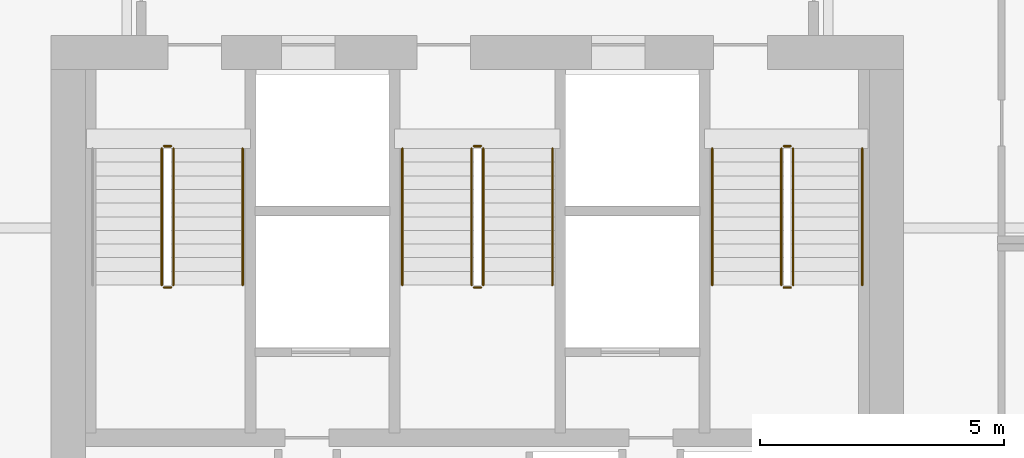
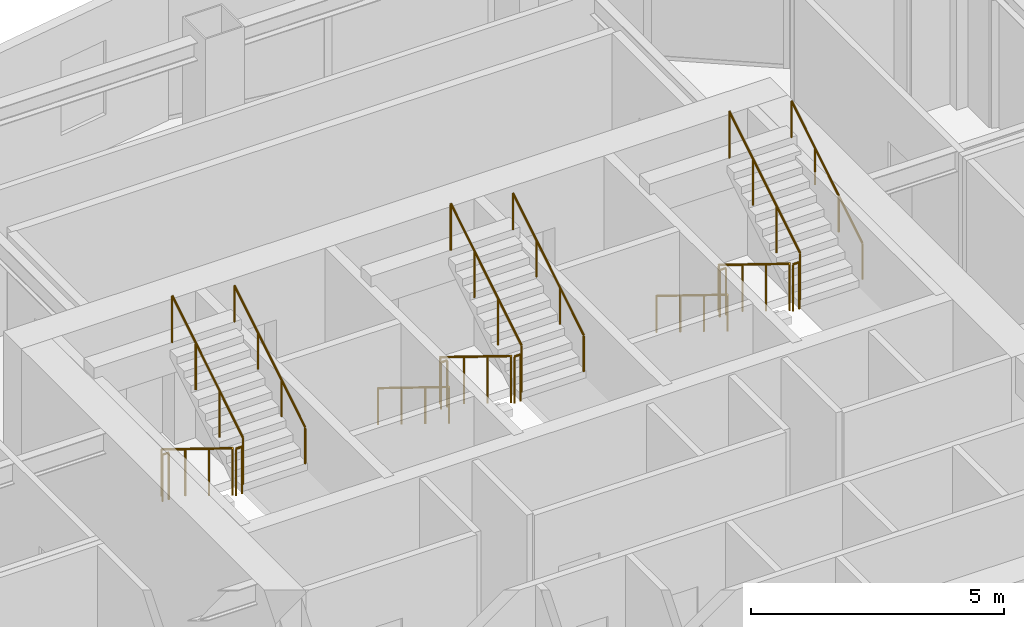
# One storey, part 14 of 14: 17 railings.
"""IFC4 building model written with IfcOpenShell, lengths in metres."""

from ifc_helpers import new_model, si_unit, direction, frame, origin, origin_2d, place, context, subcontext, project, spatial, circle, extrude, material, type_object, element, save


model = new_model("IFC4")

# Units and contexts
model_context = context("Model", 3, precision=1e-05, world=origin(), true_north=direction((0.0, 1.0)))
body_context = subcontext(model_context, "Body", "Model", "MODEL_VIEW")
ifc_project = project(units=[si_unit("LENGTHUNIT", "METRE"), si_unit("AREAUNIT", "SQUARE_METRE"), si_unit("VOLUMEUNIT", "CUBIC_METRE"), si_unit("PLANEANGLEUNIT", "RADIAN"), si_unit("MASSUNIT", "GRAM", prefix="KILO")], contexts=[model_context])

# Site, building, storey
site_placement = place(None, origin())
site = spatial("IfcSite", under=ifc_project, at=site_placement, CompositionType="ELEMENT")
building_placement = place(site_placement, origin())
building = spatial("IfcBuilding", under=site, at=building_placement, Name="Haolan Belvedere Tower", CompositionType="ELEMENT")
storey_placement = place(building_placement, frame((0.0, 0.0, 132.60009765625)))
storey = spatial("IfcBuildingStorey", under=building, at=storey_placement, Name="L33", CompositionType="ELEMENT", Elevation=132.60009765625)

# Railings
ifc_material = material(Name="Brushed stainless steel 304", Category="steel")
railing_type_1 = type_object("IfcRailingType", Name="RL-STAIR-GRD-1150", PredefinedType="GUARDRAIL", material=ifc_material)
railing_1_placement = place(storey_placement, frame((31.919921875, 41.22998046875, 0.172607421875)))
element("IfcRailing", 1, at=railing_1_placement, inside=storey, type_object=railing_type_1, Name="L33 ST1 stair guard 1", PredefinedType="GUARDRAIL", context=body_context, shape_type="SweptSolid", body=[
    extrude(circle(Radius=0.02392578125, at=origin_2d()), frame((0.0, 0.0, 1.1259765625), z_axis=(0.0, -0.851089632645, 0.525020415988), x_axis=(1.0, 0.0, 0.0)), (0.0, 0.0, 1.0), 3.2900390625),
    extrude(circle(Radius=0.02099609375, at=origin_2d()), origin(), (0.0, 0.0, 1.0), 1.101806640625),
    extrude(circle(Radius=0.02099609375, at=origin_2d()), frame((0.0, -0.933349609375, 0.57568359375)), (0.0, 0.0, 1.0), 1.101806640625),
    extrude(circle(Radius=0.02099609375, at=origin_2d()), frame((0.0, -1.86669921875, 1.151611328125)), (0.0, 0.0, 1.0), 1.101806640625),
    extrude(circle(Radius=0.02099609375, at=origin_2d()), frame((0.0, -2.800048828125, 1.727294921875)), (0.0, 0.0, 1.0), 1.101806640625),
])
railing_2_placement = place(storey_placement, frame((31.969970703125, 38.3798828125, 1.89990234375)))
element("IfcRailing", 2, at=railing_2_placement, inside=storey, type_object=railing_type_1, Name="L33 ST1 stair guard 2", PredefinedType="GUARDRAIL", context=body_context, shape_type="SweptSolid", body=[
    extrude(circle(Radius=0.02392578125, at=origin_2d()), frame((0.0, 0.0, 1.1259765625), z_axis=(1.0, 0.0, 0.0), x_axis=(0.0, 1.0, 0.0)), (0.0, 0.0, 1.0), 0.14013671875),
    extrude(circle(Radius=0.02099609375, at=origin_2d()), origin(), (0.0, 0.0, 1.0), 1.101806640625),
    extrude(circle(Radius=0.02099609375, at=origin_2d()), frame((0.14013671875, 0.0, 0.0)), (0.0, 0.0, 1.0), 1.101806640625),
])
railing_3_placement = place(storey_placement, frame((32.159912109375, 38.429931640625, 2.072509765625)))
element("IfcRailing", 3, at=railing_3_placement, inside=storey, type_object=railing_type_1, Name="L33 ST1 stair guard 3", PredefinedType="GUARDRAIL", context=body_context, shape_type="SweptSolid", body=[
    extrude(circle(Radius=0.02392578125, at=origin_2d()), frame((0.0, 0.0, 1.1259765625), z_axis=(0.0, 0.851089632645, 0.525020415988), x_axis=(-1.0, 0.0, 0.0)), (0.0, 0.0, 1.0), 3.2900390625),
    extrude(circle(Radius=0.02099609375, at=origin_2d()), origin(), (0.0, 0.0, 1.0), 1.101806640625),
    extrude(circle(Radius=0.02099609375, at=origin_2d()), frame((0.0, 0.933349609375, 0.57568359375)), (0.0, 0.0, 1.0), 1.101806640625),
    extrude(circle(Radius=0.02099609375, at=origin_2d()), frame((0.0, 1.86669921875, 1.151611328125)), (0.0, 0.0, 1.0), 1.101806640625),
    extrude(circle(Radius=0.02099609375, at=origin_2d()), frame((0.0, 2.800048828125, 1.727294921875)), (0.0, 0.0, 1.0), 1.101806640625),
])
railing_4_placement = place(storey_placement, frame((31.969970703125, 41.280029296875, 0.0)))
element("IfcRailing", 4, at=railing_4_placement, inside=storey, type_object=railing_type_1, Name="L33 ST1 stair guard 4", PredefinedType="GUARDRAIL", context=body_context, shape_type="SweptSolid", body=[
    extrude(circle(Radius=0.02392578125, at=origin_2d()), frame((0.0, 0.0, 1.1259765625), z_axis=(1.0, 0.0, 0.0), x_axis=(0.0, 1.0, 0.0)), (0.0, 0.0, 1.0), 0.14013671875),
    extrude(circle(Radius=0.02099609375, at=origin_2d()), origin(), (0.0, 0.0, 1.0), 1.101806640625),
    extrude(circle(Radius=0.02099609375, at=origin_2d()), frame((0.14013671875, 0.0, 0.0)), (0.0, 0.0, 1.0), 1.101806640625),
])
railing_5_placement = place(storey_placement, frame((38.280029296875, 41.22998046875, 0.172607421875)))
element("IfcRailing", 5, at=railing_5_placement, inside=storey, type_object=railing_type_1, Name="L33 ST3 stair guard 1", PredefinedType="GUARDRAIL", context=body_context, shape_type="SweptSolid", body=[
    extrude(circle(Radius=0.02392578125, at=origin_2d()), frame((0.0, 0.0, 1.1259765625), z_axis=(0.0, -0.851089632645, 0.525020415988), x_axis=(1.0, 0.0, 0.0)), (0.0, 0.0, 1.0), 3.2900390625),
    extrude(circle(Radius=0.02099609375, at=origin_2d()), origin(), (0.0, 0.0, 1.0), 1.101806640625),
    extrude(circle(Radius=0.02099609375, at=origin_2d()), frame((0.0, -0.933349609375, 0.57568359375)), (0.0, 0.0, 1.0), 1.101806640625),
    extrude(circle(Radius=0.02099609375, at=origin_2d()), frame((0.0, -1.86669921875, 1.151611328125)), (0.0, 0.0, 1.0), 1.101806640625),
    extrude(circle(Radius=0.02099609375, at=origin_2d()), frame((0.0, -2.800048828125, 1.727294921875)), (0.0, 0.0, 1.0), 1.101806640625),
])
railing_6_placement = place(storey_placement, frame((38.330078125, 38.3798828125, 1.89990234375)))
element("IfcRailing", 6, at=railing_6_placement, inside=storey, type_object=railing_type_1, Name="L33 ST3 stair guard 2", PredefinedType="GUARDRAIL", context=body_context, shape_type="SweptSolid", body=[
    extrude(circle(Radius=0.02392578125, at=origin_2d()), frame((0.0, 0.0, 1.1259765625), z_axis=(1.0, 0.0, 0.0), x_axis=(0.0, 1.0, 0.0)), (0.0, 0.0, 1.0), 0.139892578125),
    extrude(circle(Radius=0.02099609375, at=origin_2d()), origin(), (0.0, 0.0, 1.0), 1.101806640625),
    extrude(circle(Radius=0.02099609375, at=origin_2d()), frame((0.139892578125, 0.0, 0.0)), (0.0, 0.0, 1.0), 1.101806640625),
])
railing_7_placement = place(storey_placement, frame((38.52001953125, 38.429931640625, 2.072509765625)))
element("IfcRailing", 7, at=railing_7_placement, inside=storey, type_object=railing_type_1, Name="L33 ST3 stair guard 3", PredefinedType="GUARDRAIL", context=body_context, shape_type="SweptSolid", body=[
    extrude(circle(Radius=0.02392578125, at=origin_2d()), frame((0.0, 0.0, 1.1259765625), z_axis=(0.0, 0.851089632645, 0.525020415988), x_axis=(-1.0, 0.0, 0.0)), (0.0, 0.0, 1.0), 3.2900390625),
    extrude(circle(Radius=0.02099609375, at=origin_2d()), origin(), (0.0, 0.0, 1.0), 1.101806640625),
    extrude(circle(Radius=0.02099609375, at=origin_2d()), frame((0.0, 0.933349609375, 0.57568359375)), (0.0, 0.0, 1.0), 1.101806640625),
    extrude(circle(Radius=0.02099609375, at=origin_2d()), frame((0.0, 1.86669921875, 1.151611328125)), (0.0, 0.0, 1.0), 1.101806640625),
    extrude(circle(Radius=0.02099609375, at=origin_2d()), frame((0.0, 2.800048828125, 1.727294921875)), (0.0, 0.0, 1.0), 1.101806640625),
])
railing_8_placement = place(storey_placement, frame((38.330078125, 41.280029296875, 0.0)))
element("IfcRailing", 8, at=railing_8_placement, inside=storey, type_object=railing_type_1, Name="L33 ST3 stair guard 4", PredefinedType="GUARDRAIL", context=body_context, shape_type="SweptSolid", body=[
    extrude(circle(Radius=0.02392578125, at=origin_2d()), frame((0.0, 0.0, 1.1259765625), z_axis=(1.0, 0.0, 0.0), x_axis=(0.0, 1.0, 0.0)), (0.0, 0.0, 1.0), 0.139892578125),
    extrude(circle(Radius=0.02099609375, at=origin_2d()), origin(), (0.0, 0.0, 1.0), 1.101806640625),
    extrude(circle(Radius=0.02099609375, at=origin_2d()), frame((0.139892578125, 0.0, 0.0)), (0.0, 0.0, 1.0), 1.101806640625),
])
railing_9_placement = place(storey_placement, frame((44.639892578125, 41.22998046875, 0.172607421875)))
element("IfcRailing", 9, at=railing_9_placement, inside=storey, type_object=railing_type_1, Name="L33 ST2 stair guard 1", PredefinedType="GUARDRAIL", context=body_context, shape_type="SweptSolid", body=[
    extrude(circle(Radius=0.02392578125, at=origin_2d()), frame((0.0, 0.0, 1.1259765625), z_axis=(0.0, -0.851089632645, 0.525020415988), x_axis=(1.0, 0.0, 0.0)), (0.0, 0.0, 1.0), 3.2900390625),
    extrude(circle(Radius=0.02099609375, at=origin_2d()), origin(), (0.0, 0.0, 1.0), 1.101806640625),
    extrude(circle(Radius=0.02099609375, at=origin_2d()), frame((0.0, -0.933349609375, 0.57568359375)), (0.0, 0.0, 1.0), 1.101806640625),
    extrude(circle(Radius=0.02099609375, at=origin_2d()), frame((0.0, -1.86669921875, 1.151611328125)), (0.0, 0.0, 1.0), 1.101806640625),
    extrude(circle(Radius=0.02099609375, at=origin_2d()), frame((0.0, -2.800048828125, 1.727294921875)), (0.0, 0.0, 1.0), 1.101806640625),
])
railing_10_placement = place(storey_placement, frame((44.68994140625, 38.3798828125, 1.89990234375)))
element("IfcRailing", 10, at=railing_10_placement, inside=storey, type_object=railing_type_1, Name="L33 ST2 stair guard 2", PredefinedType="GUARDRAIL", context=body_context, shape_type="SweptSolid", body=[
    extrude(circle(Radius=0.02392578125, at=origin_2d()), frame((0.0, 0.0, 1.1259765625), z_axis=(1.0, 0.0, 0.0), x_axis=(0.0, 1.0, 0.0)), (0.0, 0.0, 1.0), 0.14013671875),
    extrude(circle(Radius=0.02099609375, at=origin_2d()), origin(), (0.0, 0.0, 1.0), 1.101806640625),
    extrude(circle(Radius=0.02099609375, at=origin_2d()), frame((0.14013671875, 0.0, 0.0)), (0.0, 0.0, 1.0), 1.101806640625),
])
railing_11_placement = place(storey_placement, frame((44.8798828125, 38.429931640625, 2.072509765625)))
element("IfcRailing", 11, at=railing_11_placement, inside=storey, type_object=railing_type_1, Name="L33 ST2 stair guard 3", PredefinedType="GUARDRAIL", context=body_context, shape_type="SweptSolid", body=[
    extrude(circle(Radius=0.02392578125, at=origin_2d()), frame((0.0, 0.0, 1.1259765625), z_axis=(0.0, 0.851089632645, 0.525020415988), x_axis=(-1.0, 0.0, 0.0)), (0.0, 0.0, 1.0), 3.2900390625),
    extrude(circle(Radius=0.02099609375, at=origin_2d()), origin(), (0.0, 0.0, 1.0), 1.101806640625),
    extrude(circle(Radius=0.02099609375, at=origin_2d()), frame((0.0, 0.933349609375, 0.57568359375)), (0.0, 0.0, 1.0), 1.101806640625),
    extrude(circle(Radius=0.02099609375, at=origin_2d()), frame((0.0, 1.86669921875, 1.151611328125)), (0.0, 0.0, 1.0), 1.101806640625),
    extrude(circle(Radius=0.02099609375, at=origin_2d()), frame((0.0, 2.800048828125, 1.727294921875)), (0.0, 0.0, 1.0), 1.101806640625),
])
railing_12_placement = place(storey_placement, frame((44.68994140625, 41.280029296875, 0.0)))
element("IfcRailing", 12, at=railing_12_placement, inside=storey, type_object=railing_type_1, Name="L33 ST2 stair guard 4", PredefinedType="GUARDRAIL", context=body_context, shape_type="SweptSolid", body=[
    extrude(circle(Radius=0.02392578125, at=origin_2d()), frame((0.0, 0.0, 1.1259765625), z_axis=(1.0, 0.0, 0.0), x_axis=(0.0, 1.0, 0.0)), (0.0, 0.0, 1.0), 0.14013671875),
    extrude(circle(Radius=0.02099609375, at=origin_2d()), origin(), (0.0, 0.0, 1.0), 1.101806640625),
    extrude(circle(Radius=0.02099609375, at=origin_2d()), frame((0.14013671875, 0.0, 0.0)), (0.0, 0.0, 1.0), 1.101806640625),
])
railing_type_2 = type_object("IfcRailingType", Name="RL-STAIR-HND-900", PredefinedType="HANDRAIL", material=ifc_material)
railing_13_placement = place(storey_placement, frame((33.580078125, 38.429931640625, 2.072509765625)))
element("IfcRailing", 13, at=railing_13_placement, inside=storey, type_object=railing_type_2, Name="L33 ST1 stair handrail 2", PredefinedType="HANDRAIL", context=body_context, shape_type="SweptSolid", body=[
    extrude(circle(Radius=0.02392578125, at=origin_2d()), frame((0.0, 0.0, 0.8759765625), z_axis=(0.0, 0.851089632645, 0.525020415988), x_axis=(-1.0, 0.0, 0.0)), (0.0, 0.0, 1.0), 3.2900390625),
    extrude(circle(Radius=0.02099609375, at=origin_2d()), origin(), (0.0, 0.0, 1.0), 0.851806640625),
    extrude(circle(Radius=0.02099609375, at=origin_2d()), frame((0.0, 0.933349609375, 0.57568359375)), (0.0, 0.0, 1.0), 0.851806640625),
    extrude(circle(Radius=0.02099609375, at=origin_2d()), frame((0.0, 1.86669921875, 1.151611328125)), (0.0, 0.0, 1.0), 0.851806640625),
    extrude(circle(Radius=0.02099609375, at=origin_2d()), frame((0.0, 2.800048828125, 1.727294921875)), (0.0, 0.0, 1.0), 0.851806640625),
])
railing_14_placement = place(storey_placement, frame((36.860107421875, 41.22998046875, 0.172607421875)))
element("IfcRailing", 14, at=railing_14_placement, inside=storey, type_object=railing_type_2, Name="L33 ST3 stair handrail 1", PredefinedType="HANDRAIL", context=body_context, shape_type="SweptSolid", body=[
    extrude(circle(Radius=0.02392578125, at=origin_2d()), frame((0.0, 0.0, 0.8759765625), z_axis=(0.0, -0.851089632645, 0.525020415988), x_axis=(1.0, 0.0, 0.0)), (0.0, 0.0, 1.0), 3.2900390625),
    extrude(circle(Radius=0.02099609375, at=origin_2d()), origin(), (0.0, 0.0, 1.0), 0.851806640625),
    extrude(circle(Radius=0.02099609375, at=origin_2d()), frame((0.0, -0.933349609375, 0.57568359375)), (0.0, 0.0, 1.0), 0.851806640625),
    extrude(circle(Radius=0.02099609375, at=origin_2d()), frame((0.0, -1.86669921875, 1.151611328125)), (0.0, 0.0, 1.0), 0.851806640625),
    extrude(circle(Radius=0.02099609375, at=origin_2d()), frame((0.0, -2.800048828125, 1.727294921875)), (0.0, 0.0, 1.0), 0.851806640625),
])
railing_15_placement = place(storey_placement, frame((39.93994140625, 38.429931640625, 2.072509765625)))
element("IfcRailing", 15, at=railing_15_placement, inside=storey, type_object=railing_type_2, Name="L33 ST3 stair handrail 2", PredefinedType="HANDRAIL", context=body_context, shape_type="SweptSolid", body=[
    extrude(circle(Radius=0.02392578125, at=origin_2d()), frame((0.0, 0.0, 0.8759765625), z_axis=(0.0, 0.851089632645, 0.525020415988), x_axis=(-1.0, 0.0, 0.0)), (0.0, 0.0, 1.0), 3.2900390625),
    extrude(circle(Radius=0.02099609375, at=origin_2d()), origin(), (0.0, 0.0, 1.0), 0.851806640625),
    extrude(circle(Radius=0.02099609375, at=origin_2d()), frame((0.0, 0.933349609375, 0.57568359375)), (0.0, 0.0, 1.0), 0.851806640625),
    extrude(circle(Radius=0.02099609375, at=origin_2d()), frame((0.0, 1.86669921875, 1.151611328125)), (0.0, 0.0, 1.0), 0.851806640625),
    extrude(circle(Radius=0.02099609375, at=origin_2d()), frame((0.0, 2.800048828125, 1.727294921875)), (0.0, 0.0, 1.0), 0.851806640625),
])
railing_16_placement = place(storey_placement, frame((43.219970703125, 41.22998046875, 0.172607421875)))
element("IfcRailing", 16, at=railing_16_placement, inside=storey, type_object=railing_type_2, Name="L33 ST2 stair handrail 1", PredefinedType="HANDRAIL", context=body_context, shape_type="SweptSolid", body=[
    extrude(circle(Radius=0.02392578125, at=origin_2d()), frame((0.0, 0.0, 0.8759765625), z_axis=(0.0, -0.851089632645, 0.525020415988), x_axis=(1.0, 0.0, 0.0)), (0.0, 0.0, 1.0), 3.2900390625),
    extrude(circle(Radius=0.02099609375, at=origin_2d()), origin(), (0.0, 0.0, 1.0), 0.851806640625),
    extrude(circle(Radius=0.02099609375, at=origin_2d()), frame((0.0, -0.933349609375, 0.57568359375)), (0.0, 0.0, 1.0), 0.851806640625),
    extrude(circle(Radius=0.02099609375, at=origin_2d()), frame((0.0, -1.86669921875, 1.151611328125)), (0.0, 0.0, 1.0), 0.851806640625),
    extrude(circle(Radius=0.02099609375, at=origin_2d()), frame((0.0, -2.800048828125, 1.727294921875)), (0.0, 0.0, 1.0), 0.851806640625),
])
railing_17_placement = place(storey_placement, frame((46.300048828125, 38.429931640625, 2.072509765625)))
element("IfcRailing", 17, at=railing_17_placement, inside=storey, type_object=railing_type_2, Name="L33 ST2 stair handrail 2", PredefinedType="HANDRAIL", context=body_context, shape_type="SweptSolid", body=[
    extrude(circle(Radius=0.02392578125, at=origin_2d()), frame((0.0, 0.0, 0.8759765625), z_axis=(0.0, 0.851089632645, 0.525020415988), x_axis=(-1.0, 0.0, 0.0)), (0.0, 0.0, 1.0), 3.2900390625),
    extrude(circle(Radius=0.02099609375, at=origin_2d()), origin(), (0.0, 0.0, 1.0), 0.851806640625),
    extrude(circle(Radius=0.02099609375, at=origin_2d()), frame((0.0, 0.933349609375, 0.57568359375)), (0.0, 0.0, 1.0), 0.851806640625),
    extrude(circle(Radius=0.02099609375, at=origin_2d()), frame((0.0, 1.86669921875, 1.151611328125)), (0.0, 0.0, 1.0), 0.851806640625),
    extrude(circle(Radius=0.02099609375, at=origin_2d()), frame((0.0, 2.800048828125, 1.727294921875)), (0.0, 0.0, 1.0), 0.851806640625),
])

save(model, "model.ifc")
